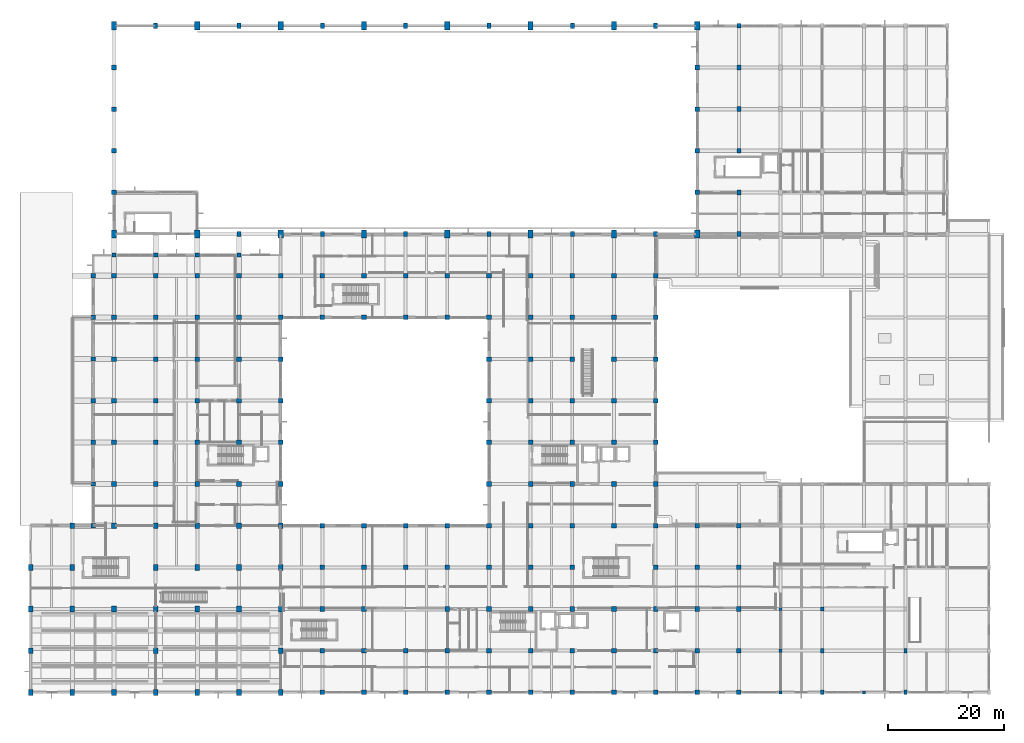
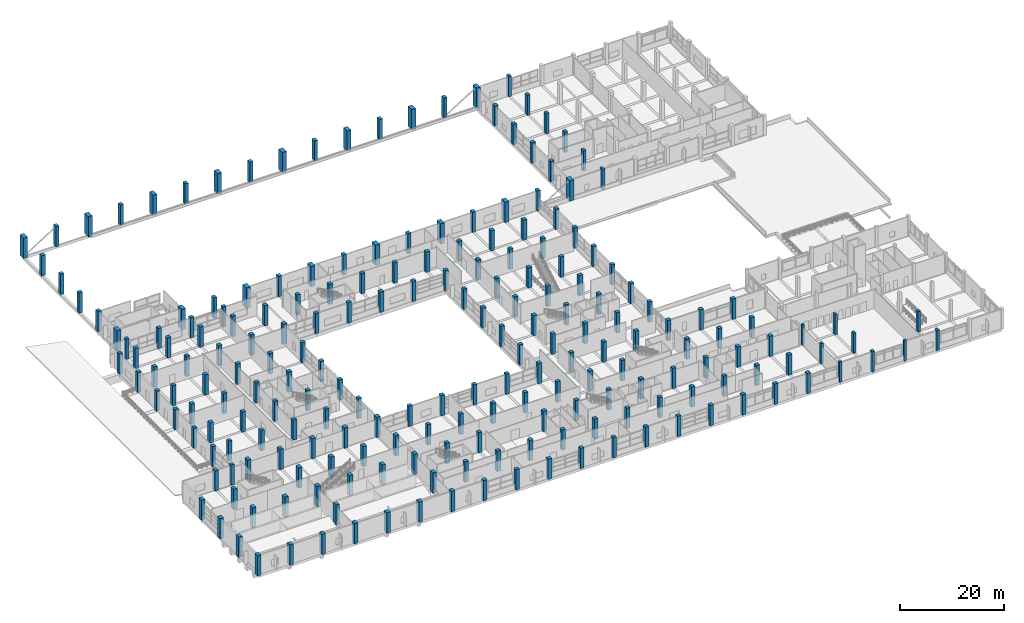
# One storey, part 1 of 140: 213 columns.
"""IFC4 building model written with IfcOpenShell, lengths in metres."""

from ifc_helpers import new_model, si_unit, direction, frame, origin, origin_2d, place, context, subcontext, project, spatial, rectangle, extrude, material, material_profile, profile_set, type_object, element, save


model = new_model("IFC4")

# Units and contexts
model_context = context("Model", 3, precision=1e-05, world=origin(), true_north=direction((0.0, 1.0)))
body_context = subcontext(model_context, "Body", "Model", "MODEL_VIEW")
ifc_project = project(units=[si_unit("LENGTHUNIT", "METRE"), si_unit("AREAUNIT", "SQUARE_METRE"), si_unit("VOLUMEUNIT", "CUBIC_METRE"), si_unit("PLANEANGLEUNIT", "RADIAN"), si_unit("MASSUNIT", "GRAM", prefix="KILO")], contexts=[model_context])

# Site, building, storey
site_placement = place(None, origin())
site = spatial("IfcSite", under=ifc_project, at=site_placement, CompositionType="ELEMENT")
building_placement = place(site_placement, origin())
building = spatial("IfcBuilding", under=site, at=building_placement, Name="Seraya Terrace Polytechnic", CompositionType="ELEMENT")
storey_placement = place(building_placement, frame((0.0, 0.0, 9.60009765625)))
storey = spatial("IfcBuildingStorey", under=building, at=storey_placement, Name="L02", CompositionType="ELEMENT", Elevation=9.60009765625)

# Columns
ifc_material = material(Name="Concrete C40/50", Category="concrete")
ifc_material_profile_1 = material_profile(ifc_material, rectangle(XDim=0.800048828125, YDim=0.800048828125, at=origin_2d()), Name="RC 800x800")
ifc_profile_set_1 = profile_set([ifc_material_profile_1], Name="Concrete C40/50")
column_type_1 = type_object("IfcColumnType", Name="C-05", PredefinedType="COLUMN", material=ifc_profile_set_1)
for number, where, z_axis, x_axis, name in (
    (1, (14.39990234375, 36.0, 0.0), (0.0, 0.0, 1.0), (1.0, 0.0, 0.0), "Column C-05 L02 (14.4, 36.0)"),
    (2, (14.39990234375, 43.199951171875, 0.0), (0.0, 0.0, 1.0), (1.0, 0.0, 0.0), "Column C-05 L02 (14.4, 43.2)"),
    (3, (14.39990234375, 50.39990234375, 0.0), (0.0, 0.0, 1.0), (1.0, 0.0, 0.0), "Column C-05 L02 (14.4, 50.4)"),
    (4, (14.39990234375, 57.60009765625, 0.0), (0.0, 0.0, 1.0), (1.0, 0.0, 0.0), "Column C-05 L02 (14.4, 57.6)"),
    (5, (14.39990234375, 64.800048828125, 0.0), (0.0, 0.0, 1.0), (1.0, 0.0, 0.0), "Column C-05 L02 (14.4, 64.8)"),
    (6, (14.39990234375, 72.0, 0.0), (0.0, 0.0, 1.0), (1.0, 0.0, 0.0), "Column C-05 L02 (14.4, 72.0)"),
    (7, (14.39990234375, 86.39990234375, 0.0), (0.0, 0.0, 1.0), (1.0, 0.0, 0.0), "Column C-05 L02 (14.4, 86.4)"),
    (8, (14.39990234375, 93.60009765625, 0.0), (0.0, 0.0, 1.0), (1.0, 0.0, 0.0), "Column C-05 L02 (14.4, 93.6)"),
    (9, (14.39990234375, 100.800048828125, 0.0), (0.0, 0.0, 1.0), (1.0, 0.0, 0.0), "Column C-05 L02 (14.4, 100.8)"),
    (10, (14.39990234375, 108.0, 0.0), (0.0, 0.0, 1.0), (1.0, 0.0, 0.0), "Column C-05 L02 (14.4, 108.0)"),
    (11, (21.60009765625, 36.0, 0.0), (0.0, 0.0, 1.0), (1.0, 0.0, 0.0), "Column C-05 L02 (21.6, 36.0)"),
    (12, (21.60009765625, 43.199951171875, 0.0), (0.0, 0.0, 1.0), (1.0, 0.0, 0.0), "Column C-05 L02 (21.6, 43.2)"),
    (13, (21.60009765625, 50.39990234375, 0.0), (0.0, 0.0, 1.0), (1.0, 0.0, 0.0), "Column C-05 L02 (21.6, 50.4)"),
    (14, (21.60009765625, 57.60009765625, 0.0), (0.0, 0.0, 1.0), (1.0, 0.0, 0.0), "Column C-05 L02 (21.6, 57.6)"),
    (15, (21.60009765625, 64.800048828125, 0.0), (0.0, 0.0, 1.0), (1.0, 0.0, 0.0), "Column C-05 L02 (21.6, 64.8)"),
    (16, (21.60009765625, 72.0, 0.0), (0.0, 0.0, 1.0), (1.0, 0.0, 0.0), "Column C-05 L02 (21.6, 72.0)"),
    (17, (28.800048828125, 36.0, 0.0), (0.0, 0.0, 1.0), (1.0, 0.0, 0.0), "Column C-05 L02 (28.8, 36.0)"),
    (18, (28.800048828125, 43.199951171875, 0.0), (0.0, 0.0, 1.0), (1.0, 0.0, 0.0), "Column C-05 L02 (28.8, 43.2)"),
    (19, (28.800048828125, 50.39990234375, 0.0), (0.0, 0.0, 1.0), (1.0, 0.0, 0.0), "Column C-05 L02 (28.8, 50.4)"),
    (20, (28.800048828125, 57.60009765625, 0.0), (0.0, 0.0, 1.0), (1.0, 0.0, 0.0), "Column C-05 L02 (28.8, 57.6)"),
    (21, (28.800048828125, 64.800048828125, 0.0), (0.0, 0.0, 1.0), (1.0, 0.0, 0.0), "Column C-05 L02 (28.8, 64.8)"),
    (22, (28.800048828125, 72.0, 0.0), (0.0, 0.0, 1.0), (1.0, 0.0, 0.0), "Column C-05 L02 (28.8, 72.0)"),
    (23, (36.0, 36.0, 0.0), (0.0, 0.0, 1.0), (1.0, 0.0, 0.0), "Column C-05 L02 (36.0, 36.0)"),
    (24, (36.0, 43.199951171875, 0.0), (0.0, 0.0, 1.0), (1.0, 0.0, 0.0), "Column C-05 L02 (36.0, 43.2)"),
    (25, (36.0, 50.39990234375, 0.0), (0.0, 0.0, 1.0), (1.0, 0.0, 0.0), "Column C-05 L02 (36.0, 50.4)"),
    (26, (36.0, 57.60009765625, 0.0), (0.0, 0.0, 1.0), (1.0, 0.0, 0.0), "Column C-05 L02 (36.0, 57.6)"),
    (27, (36.0, 64.800048828125, 0.0), (0.0, 0.0, 1.0), (1.0, 0.0, 0.0), "Column C-05 L02 (36.0, 64.8)"),
    (28, (36.0, 72.0, 0.0), (0.0, 0.0, 1.0), (1.0, 0.0, 0.0), "Column C-05 L02 (36.0, 72.0)"),
    (29, (43.199951171875, 36.0, 0.0), (0.0, 0.0, 1.0), (1.0, 0.0, 0.0), "Column C-05 L02 (43.2, 36.0)"),
    (30, (43.199951171875, 43.199951171875, 0.0), (0.0, 0.0, 1.0), (1.0, 0.0, 0.0), "Column C-05 L02 (43.2, 43.2)"),
    (31, (43.199951171875, 50.39990234375, 0.0), (0.0, 0.0, 1.0), (1.0, 0.0, 0.0), "Column C-05 L02 (43.2, 50.4)"),
    (32, (43.199951171875, 57.60009765625, 0.0), (0.0, 0.0, 1.0), (1.0, 0.0, 0.0), "Column C-05 L02 (43.2, 57.6)"),
    (33, (43.199951171875, 64.800048828125, 0.0), (0.0, 0.0, 1.0), (1.0, 0.0, 0.0), "Column C-05 L02 (43.2, 64.8)"),
    (34, (43.199951171875, 72.0, 0.0), (0.0, 0.0, 1.0), (1.0, 0.0, 0.0), "Column C-05 L02 (43.2, 72.0)"),
    (35, (50.39990234375, 0.0, 0.0), (0.0, 0.0, 1.0), (1.0, 0.0, 0.0), "Column C-05 L02 (50.4, 0.0)"),
    (36, (50.39990234375, 7.199951171875, 0.0), (0.0, 0.0, 1.0), (1.0, 0.0, 0.0), "Column C-05 L02 (50.4, 7.2)"),
    (37, (50.39990234375, 14.39990234375, 0.0), (0.0, 0.0, 1.0), (1.0, 0.0, 0.0), "Column C-05 L02 (50.4, 14.4)"),
    (38, (50.39990234375, 21.60009765625, 0.0), (0.0, 0.0, 1.0), (1.0, 0.0, 0.0), "Column C-05 L02 (50.4, 21.6)"),
    (39, (50.39990234375, 28.800048828125, 0.0), (0.0, 0.0, 1.0), (1.0, 0.0, 0.0), "Column C-05 L02 (50.4, 28.8)"),
    (40, (50.39990234375, 64.800048828125, 0.0), (0.0, 0.0, 1.0), (1.0, 0.0, 0.0), "Column C-05 L02 (50.4, 64.8)"),
    (41, (50.39990234375, 72.0, 0.0), (0.0, 0.0, 1.0), (1.0, 0.0, 0.0), "Column C-05 L02 (50.4, 72.0)"),
    (42, (57.60009765625, 0.0, 0.0), (0.0, 0.0, 1.0), (1.0, 0.0, 0.0), "Column C-05 L02 (57.6, 0.0)"),
    (43, (57.60009765625, 7.199951171875, 0.0), (0.0, 0.0, 1.0), (1.0, 0.0, 0.0), "Column C-05 L02 (57.6, 7.2)"),
    (44, (57.60009765625, 14.39990234375, 0.0), (0.0, 0.0, 1.0), (1.0, 0.0, 0.0), "Column C-05 L02 (57.6, 14.4)"),
    (45, (57.60009765625, 21.60009765625, 0.0), (0.0, 0.0, 1.0), (1.0, 0.0, 0.0), "Column C-05 L02 (57.6, 21.6)"),
    (46, (57.60009765625, 28.800048828125, 0.0), (0.0, 0.0, 1.0), (1.0, 0.0, 0.0), "Column C-05 L02 (57.6, 28.8)"),
    (47, (57.60009765625, 64.800048828125, 0.0), (0.0, 0.0, 1.0), (1.0, 0.0, 0.0), "Column C-05 L02 (57.6, 64.8)"),
    (48, (57.60009765625, 72.0, 0.0), (0.0, 0.0, 1.0), (1.0, 0.0, 0.0), "Column C-05 L02 (57.6, 72.0)"),
    (49, (64.800048828125, 0.0, 0.0), (0.0, 0.0, 1.0), (1.0, 0.0, 0.0), "Column C-05 L02 (64.8, 0.0)"),
    (50, (64.800048828125, 7.199951171875, 0.0), (0.0, 0.0, 1.0), (1.0, 0.0, 0.0), "Column C-05 L02 (64.8, 7.2)"),
    (51, (64.800048828125, 21.60009765625, 0.0), (0.0, 0.0, 1.0), (1.0, 0.0, 0.0), "Column C-05 L02 (64.8, 21.6)"),
    (52, (64.800048828125, 28.800048828125, 0.0), (0.0, 0.0, 1.0), (1.0, 0.0, 0.0), "Column C-05 L02 (64.8, 28.8)"),
    (53, (64.800048828125, 64.800048828125, 0.0), (0.0, 0.0, 1.0), (1.0, 0.0, 0.0), "Column C-05 L02 (64.8, 64.8)"),
    (54, (64.800048828125, 72.0, 0.0), (0.0, 0.0, 1.0), (1.0, 0.0, 0.0), "Column C-05 L02 (64.8, 72.0)"),
    (55, (72.0, 0.0, 0.0), (0.0, 0.0, 1.0), (1.0, 0.0, 0.0), "Column C-05 L02 (72.0, 0.0)"),
    (56, (72.0, 7.199951171875, 0.0), (0.0, 0.0, 1.0), (1.0, 0.0, 0.0), "Column C-05 L02 (72.0, 7.2)"),
    (57, (72.0, 14.39990234375, 0.0), (0.0, 0.0, 1.0), (1.0, 0.0, 0.0), "Column C-05 L02 (72.0, 14.4)"),
    (58, (72.0, 21.60009765625, 0.0), (0.0, 0.0, 1.0), (1.0, 0.0, 0.0), "Column C-05 L02 (72.0, 21.6)"),
    (59, (72.0, 28.800048828125, 0.0), (0.0, 0.0, 1.0), (1.0, 0.0, 0.0), "Column C-05 L02 (72.0, 28.8)"),
    (60, (72.0, 64.800048828125, 0.0), (0.0, 0.0, 1.0), (1.0, 0.0, 0.0), "Column C-05 L02 (72.0, 64.8)"),
    (61, (72.0, 72.0, 0.0), (0.0, 0.0, 1.0), (1.0, 0.0, 0.0), "Column C-05 L02 (72.0, 72.0)"),
    (62, (79.199951171875, 0.0, 0.0), (0.0, 0.0, 1.0), (1.0, 0.0, 0.0), "Column C-05 L02 (79.2, 0.0)"),
    (63, (79.199951171875, 7.199951171875, 0.0), (0.0, 0.0, 1.0), (1.0, 0.0, 0.0), "Column C-05 L02 (79.2, 7.2)"),
    (64, (79.199951171875, 14.39990234375, 0.0), (0.0, 0.0, 1.0), (1.0, 0.0, 0.0), "Column C-05 L02 (79.2, 14.4)"),
    (65, (79.199951171875, 21.60009765625, 0.0), (0.0, 0.0, 1.0), (1.0, 0.0, 0.0), "Column C-05 L02 (79.2, 21.6)"),
    (66, (79.199951171875, 28.800048828125, 0.0), (0.0, 0.0, 1.0), (1.0, 0.0, 0.0), "Column C-05 L02 (79.2, 28.8)"),
    (67, (79.199951171875, 36.0, 0.0), (0.0, 0.0, 1.0), (1.0, 0.0, 0.0), "Column C-05 L02 (79.2, 36.0)"),
    (68, (79.199951171875, 43.199951171875, 0.0), (0.0, 0.0, 1.0), (1.0, 0.0, 0.0), "Column C-05 L02 (79.2, 43.2)"),
    (69, (79.199951171875, 50.39990234375, 0.0), (0.0, 0.0, 1.0), (1.0, 0.0, 0.0), "Column C-05 L02 (79.2, 50.4)"),
    (70, (79.199951171875, 57.60009765625, 0.0), (0.0, 0.0, 1.0), (1.0, 0.0, 0.0), "Column C-05 L02 (79.2, 57.6)"),
    (71, (79.199951171875, 64.800048828125, 0.0), (0.0, 0.0, 1.0), (1.0, 0.0, 0.0), "Column C-05 L02 (79.2, 64.8)"),
    (72, (79.199951171875, 72.0, 0.0), (0.0, 0.0, 1.0), (1.0, 0.0, 0.0), "Column C-05 L02 (79.2, 72.0)"),
    (73, (86.39990234375, 0.0, 0.0), (0.0, 0.0, 1.0), (1.0, 0.0, 0.0), "Column C-05 L02 (86.4, 0.0)"),
    (74, (86.39990234375, 7.199951171875, 0.0), (0.0, 0.0, 1.0), (1.0, 0.0, 0.0), "Column C-05 L02 (86.4, 7.2)"),
    (75, (86.39990234375, 14.39990234375, 0.0), (0.0, 0.0, 1.0), (1.0, 0.0, 0.0), "Column C-05 L02 (86.4, 14.4)"),
    (76, (86.39990234375, 21.60009765625, 0.0), (0.0, 0.0, 1.0), (1.0, 0.0, 0.0), "Column C-05 L02 (86.4, 21.6)"),
    (77, (86.39990234375, 28.800048828125, 0.0), (0.0, 0.0, 1.0), (1.0, 0.0, 0.0), "Column C-05 L02 (86.4, 28.8)"),
    (78, (86.39990234375, 36.0, 0.0), (0.0, 0.0, 1.0), (1.0, 0.0, 0.0), "Column C-05 L02 (86.4, 36.0)"),
    (79, (86.39990234375, 43.199951171875, 0.0), (0.0, 0.0, 1.0), (1.0, 0.0, 0.0), "Column C-05 L02 (86.4, 43.2)"),
    (80, (86.39990234375, 50.39990234375, 0.0), (0.0, 0.0, 1.0), (1.0, 0.0, 0.0), "Column C-05 L02 (86.4, 50.4)"),
    (81, (86.39990234375, 57.60009765625, 0.0), (0.0, 0.0, 1.0), (1.0, 0.0, 0.0), "Column C-05 L02 (86.4, 57.6)"),
    (82, (86.39990234375, 64.800048828125, 0.0), (0.0, 0.0, 1.0), (1.0, 0.0, 0.0), "Column C-05 L02 (86.4, 64.8)"),
    (83, (86.39990234375, 72.0, 0.0), (0.0, 0.0, 1.0), (1.0, 0.0, 0.0), "Column C-05 L02 (86.4, 72.0)"),
    (84, (93.60009765625, 0.0, 0.0), (0.0, 0.0, 1.0), (1.0, 0.0, 0.0), "Column C-05 L02 (93.6, 0.0)"),
    (85, (93.60009765625, 7.199951171875, 0.0), (0.0, 0.0, 1.0), (1.0, 0.0, 0.0), "Column C-05 L02 (93.6, 7.2)"),
    (86, (93.60009765625, 14.39990234375, 0.0), (0.0, 0.0, 1.0), (1.0, 0.0, 0.0), "Column C-05 L02 (93.6, 14.4)"),
    (87, (93.60009765625, 21.60009765625, 0.0), (0.0, 0.0, 1.0), (1.0, 0.0, 0.0), "Column C-05 L02 (93.6, 21.6)"),
    (88, (93.60009765625, 28.800048828125, 0.0), (0.0, 0.0, 1.0), (1.0, 0.0, 0.0), "Column C-05 L02 (93.6, 28.8)"),
    (89, (93.60009765625, 36.0, 0.0), (0.0, 0.0, 1.0), (1.0, 0.0, 0.0), "Column C-05 L02 (93.6, 36.0)"),
    (90, (93.60009765625, 43.199951171875, 0.0), (0.0, 0.0, 1.0), (1.0, 0.0, 0.0), "Column C-05 L02 (93.6, 43.2)"),
    (91, (93.60009765625, 50.39990234375, 0.0), (0.0, 0.0, 1.0), (1.0, 0.0, 0.0), "Column C-05 L02 (93.6, 50.4)"),
    (92, (93.60009765625, 57.60009765625, 0.0), (0.0, 0.0, 1.0), (1.0, 0.0, 0.0), "Column C-05 L02 (93.6, 57.6)"),
    (93, (93.60009765625, 64.800048828125, 0.0), (0.0, 0.0, 1.0), (1.0, 0.0, 0.0), "Column C-05 L02 (93.6, 64.8)"),
    (94, (93.60009765625, 72.0, 0.0), (0.0, 0.0, 1.0), (1.0, 0.0, 0.0), "Column C-05 L02 (93.6, 72.0)"),
    (95, (100.800048828125, 0.0, 0.0), (0.0, 0.0, 1.0), (1.0, 0.0, 0.0), "Column C-05 L02 (100.8, 0.0)"),
    (96, (100.800048828125, 7.199951171875, 0.0), (0.0, 0.0, 1.0), (1.0, 0.0, 0.0), "Column C-05 L02 (100.8, 7.2)"),
    (97, (100.800048828125, 14.39990234375, 0.0), (0.0, 0.0, 1.0), (1.0, 0.0, 0.0), "Column C-05 L02 (100.8, 14.4)"),
    (98, (100.800048828125, 28.800048828125, 0.0), (0.0, 0.0, 1.0), (1.0, 0.0, 0.0), "Column C-05 L02 (100.8, 28.8)"),
    (99, (100.800048828125, 36.0, 0.0), (0.0, 0.0, 1.0), (1.0, 0.0, 0.0), "Column C-05 L02 (100.8, 36.0)"),
    (100, (100.800048828125, 43.199951171875, 0.0), (0.0, 0.0, 1.0), (1.0, 0.0, 0.0), "Column C-05 L02 (100.8, 43.2)"),
    (101, (100.800048828125, 50.39990234375, 0.0), (0.0, 0.0, 1.0), (1.0, 0.0, 0.0), "Column C-05 L02 (100.8, 50.4)"),
    (102, (100.800048828125, 57.60009765625, 0.0), (0.0, 0.0, 1.0), (1.0, 0.0, 0.0), "Column C-05 L02 (100.8, 57.6)"),
    (103, (100.800048828125, 64.800048828125, 0.0), (0.0, 0.0, 1.0), (1.0, 0.0, 0.0), "Column C-05 L02 (100.8, 64.8)"),
    (104, (100.800048828125, 72.0, 0.0), (0.0, 0.0, 1.0), (1.0, 0.0, 0.0), "Column C-05 L02 (100.8, 72.0)"),
    (105, (108.0, 0.0, 0.0), (0.0, 0.0, 1.0), (1.0, 0.0, 0.0), "Column C-05 L02 (108.0, 0.0)"),
    (106, (108.0, 7.199951171875, 0.0), (0.0, 0.0, 1.0), (1.0, 0.0, 0.0), "Column C-05 L02 (108.0, 7.2)"),
    (107, (108.0, 14.39990234375, 0.0), (0.0, 0.0, 1.0), (1.0, 0.0, 0.0), "Column C-05 L02 (108.0, 14.4)"),
    (108, (108.0, 21.60009765625, 0.0), (0.0, 0.0, 1.0), (1.0, 0.0, 0.0), "Column C-05 L02 (108.0, 21.6)"),
    (109, (108.0, 28.800048828125, 0.0), (0.0, 0.0, 1.0), (1.0, 0.0, 0.0), "Column C-05 L02 (108.0, 28.8)"),
    (110, (108.0, 36.0, 0.0), (0.0, 0.0, 1.0), (1.0, 0.0, 0.0), "Column C-05 L02 (108.0, 36.0)"),
    (111, (108.0, 43.199951171875, 0.0), (0.0, 0.0, 1.0), (1.0, 0.0, 0.0), "Column C-05 L02 (108.0, 43.2)"),
    (112, (108.0, 50.39990234375, 0.0), (0.0, 0.0, 1.0), (1.0, 0.0, 0.0), "Column C-05 L02 (108.0, 50.4)"),
    (113, (108.0, 57.60009765625, 0.0), (0.0, 0.0, 1.0), (1.0, 0.0, 0.0), "Column C-05 L02 (108.0, 57.6)"),
    (114, (108.0, 64.800048828125, 0.0), (0.0, 0.0, 1.0), (1.0, 0.0, 0.0), "Column C-05 L02 (108.0, 64.8)"),
    (115, (108.0, 72.0, 0.0), (0.0, 0.0, 1.0), (1.0, 0.0, 0.0), "Column C-05 L02 (108.0, 72.0)"),
    (116, (115.199951171875, 0.0, 0.0), (0.0, 0.0, 1.0), (1.0, 0.0, 0.0), "Column C-05 L02 (115.2, 0.0)"),
    (117, (115.199951171875, 7.199951171875, 0.0), (0.0, 0.0, 1.0), (1.0, 0.0, 0.0), "Column C-05 L02 (115.2, 7.2)"),
    (118, (115.199951171875, 14.39990234375, 0.0), (0.0, 0.0, 1.0), (1.0, 0.0, 0.0), "Column C-05 L02 (115.2, 14.4)"),
    (119, (115.199951171875, 21.60009765625, 0.0), (0.0, 0.0, 1.0), (1.0, 0.0, 0.0), "Column C-05 L02 (115.2, 21.6)"),
    (120, (115.199951171875, 28.800048828125, 0.0), (0.0, 0.0, 1.0), (1.0, 0.0, 0.0), "Column C-05 L02 (115.2, 28.8)"),
    (121, (115.199951171875, 86.39990234375, 0.0), (0.0, 0.0, 1.0), (1.0, 0.0, 0.0), "Column C-05 L02 (115.2, 86.4)"),
    (122, (115.199951171875, 93.60009765625, 0.0), (0.0, 0.0, 1.0), (1.0, 0.0, 0.0), "Column C-05 L02 (115.2, 93.6)"),
    (123, (115.199951171875, 100.800048828125, 0.0), (0.0, 0.0, 1.0), (1.0, 0.0, 0.0), "Column C-05 L02 (115.2, 100.8)"),
    (124, (115.199951171875, 108.0, 0.0), (0.0, 0.0, 1.0), (1.0, 0.0, 0.0), "Column C-05 L02 (115.2, 108.0)"),
    (125, (122.39990234375, 0.0, 0.0), (0.0, 0.0, 1.0), (1.0, 0.0, 0.0), "Column C-05 L02 (122.4, 0.0)"),
    (126, (122.39990234375, 7.199951171875, 0.0), (0.0, 0.0, 1.0), (1.0, 0.0, 0.0), "Column C-05 L02 (122.4, 7.2)"),
    (127, (122.39990234375, 14.39990234375, 0.0), (0.0, 0.0, 1.0), (1.0, 0.0, 0.0), "Column C-05 L02 (122.4, 14.4)"),
    (128, (122.39990234375, 21.60009765625, 0.0), (0.0, 0.0, 1.0), (1.0, 0.0, 0.0), "Column C-05 L02 (122.4, 21.6)"),
    (129, (122.39990234375, 28.800048828125, 0.0), (0.0, 0.0, 1.0), (1.0, 0.0, 0.0), "Column C-05 L02 (122.4, 28.8)"),
):
    element("IfcColumn", number, at=place(storey_placement, frame(where, z_axis=z_axis, x_axis=x_axis)), inside=storey, type_object=column_type_1, Name=name, PredefinedType="COLUMN", context=body_context, shape_type="SweptSolid", body=[
        extrude(rectangle(XDim=0.800048828125, YDim=0.800048828125, at=origin_2d()), origin(), (0.0, 0.0, 1.0), 4.7998046875),
    ])
ifc_material_profile_2 = material_profile(ifc_material, rectangle(XDim=0.75, YDim=0.75, at=origin_2d()), Name="RC 750x750")
ifc_profile_set_2 = profile_set([ifc_material_profile_2], Name="Concrete C40/50")
column_type_2 = type_object("IfcColumnType", Name="C-06", PredefinedType="COLUMN", material=ifc_profile_set_2)
for number, where, z_axis, x_axis, name in (
    (130, (10.800048828125, 28.800048828125, 0.0), (0.0, 0.0, 1.0), (1.0, 0.0, 0.0), "Column C-06 L02 (10.8, 28.8)"),
    (131, (10.800048828125, 36.0, 0.0), (0.0, 0.0, 1.0), (1.0, 0.0, 0.0), "Column C-06 L02 (10.8, 36.0)"),
    (132, (10.800048828125, 43.199951171875, 0.0), (0.0, 0.0, 1.0), (1.0, 0.0, 0.0), "Column C-06 L02 (10.8, 43.2)"),
    (133, (10.800048828125, 50.39990234375, 0.0), (0.0, 0.0, 1.0), (1.0, 0.0, 0.0), "Column C-06 L02 (10.8, 50.4)"),
    (134, (10.800048828125, 57.60009765625, 0.0), (0.0, 0.0, 1.0), (1.0, 0.0, 0.0), "Column C-06 L02 (10.8, 57.6)"),
    (135, (10.800048828125, 64.800048828125, 0.0), (0.0, 0.0, 1.0), (1.0, 0.0, 0.0), "Column C-06 L02 (10.8, 64.8)"),
    (136, (10.800048828125, 72.0, 0.0), (0.0, 0.0, 1.0), (1.0, 0.0, 0.0), "Column C-06 L02 (10.8, 72.0)"),
    (137, (14.39990234375, 75.60009765625, 0.0), (0.0, 0.0, 1.0), (1.0, 0.0, 0.0), "Column C-06 L02 (14.4, 75.6)"),
    (138, (21.60009765625, 75.60009765625, 0.0), (0.0, 0.0, 1.0), (1.0, 0.0, 0.0), "Column C-06 L02 (21.6, 75.6)"),
    (139, (28.800048828125, 75.60009765625, 0.0), (0.0, 0.0, 1.0), (1.0, 0.0, 0.0), "Column C-06 L02 (28.8, 75.6)"),
    (140, (36.0, 75.60009765625, 0.0), (0.0, 0.0, 1.0), (1.0, 0.0, 0.0), "Column C-06 L02 (36.0, 75.6)"),
):
    element("IfcColumn", number, at=place(storey_placement, frame(where, z_axis=z_axis, x_axis=x_axis)), inside=storey, type_object=column_type_2, Name=name, PredefinedType="COLUMN", context=body_context, shape_type="SweptSolid", body=[
        extrude(rectangle(XDim=0.75, YDim=0.75, at=origin_2d()), origin(), (0.0, 0.0, 1.0), 4.7998046875),
    ])
ifc_material_profile_3 = material_profile(ifc_material, rectangle(XDim=0.550048828125, YDim=0.550048828125, at=origin_2d()), Name="RC 550x550")
ifc_profile_set_3 = profile_set([ifc_material_profile_3], Name="Concrete C40/50")
column_type_3 = type_object("IfcColumnType", Name="C-10", PredefinedType="COLUMN", material=ifc_profile_set_3)
for number, where, z_axis, x_axis, name in (
    (141, (129.60009765625, 0.0, 0.0), (0.0, 0.0, 1.0), (1.0, 0.0, 0.0), "Column C-10 L02 (129.6, 0.0)"),
    (142, (129.60009765625, 7.199951171875, 0.0), (0.0, 0.0, 1.0), (1.0, 0.0, 0.0), "Column C-10 L02 (129.6, 7.2)"),
    (143, (129.60009765625, 14.39990234375, 0.0), (0.0, 0.0, 1.0), (1.0, 0.0, 0.0), "Column C-10 L02 (129.6, 14.4)"),
    (144, (144.0, 0.0, 0.0), (0.0, 0.0, 1.0), (1.0, 0.0, 0.0), "Column C-10 L02 (144.0, 0.0)"),
):
    element("IfcColumn", number, at=place(storey_placement, frame(where, z_axis=z_axis, x_axis=x_axis)), inside=storey, type_object=column_type_3, Name=name, PredefinedType="COLUMN", context=body_context, shape_type="SweptSolid", body=[
        extrude(rectangle(XDim=0.550048828125, YDim=0.550048828125, at=origin_2d()), origin(), (0.0, 0.0, 1.0), 4.7998046875),
    ])
ifc_material_profile_4 = material_profile(ifc_material, rectangle(XDim=0.89990234375, YDim=1.39990234375, at=origin_2d()), Name="RC 900x1400")
ifc_profile_set_4 = profile_set([ifc_material_profile_4], Name="Concrete C40/50")
column_type_4 = type_object("IfcColumnType", Name="C-13", PredefinedType="COLUMN", material=ifc_profile_set_4)
for number, where, z_axis, x_axis, name in (
    (145, (14.39990234375, 79.199951171875, 0.0), (0.0, 0.0, 1.0), (1.0, 0.0, 0.0), "Column C-13 L02 (14.4, 79.2)"),
    (146, (14.39990234375, 115.199951171875, 0.0), (0.0, 0.0, 1.0), (1.0, 0.0, 0.0), "Column C-13 L02 (14.4, 115.2)"),
    (147, (28.800048828125, 79.199951171875, 0.0), (0.0, 0.0, 1.0), (1.0, 0.0, 0.0), "Column C-13 L02 (28.8, 79.2)"),
    (148, (28.800048828125, 115.199951171875, 0.0), (0.0, 0.0, 1.0), (1.0, 0.0, 0.0), "Column C-13 L02 (28.8, 115.2)"),
    (149, (43.199951171875, 79.199951171875, 0.0), (0.0, 0.0, 1.0), (1.0, 0.0, 0.0), "Column C-13 L02 (43.2, 79.2)"),
    (150, (43.199951171875, 115.199951171875, 0.0), (0.0, 0.0, 1.0), (1.0, 0.0, 0.0), "Column C-13 L02 (43.2, 115.2)"),
    (151, (57.60009765625, 79.199951171875, 0.0), (0.0, 0.0, 1.0), (1.0, 0.0, 0.0), "Column C-13 L02 (57.6, 79.2)"),
    (152, (57.60009765625, 115.199951171875, 0.0), (0.0, 0.0, 1.0), (1.0, 0.0, 0.0), "Column C-13 L02 (57.6, 115.2)"),
    (153, (72.0, 79.199951171875, 0.0), (0.0, 0.0, 1.0), (1.0, 0.0, 0.0), "Column C-13 L02 (72.0, 79.2)"),
    (154, (72.0, 115.199951171875, 0.0), (0.0, 0.0, 1.0), (1.0, 0.0, 0.0), "Column C-13 L02 (72.0, 115.2)"),
    (155, (86.39990234375, 79.199951171875, 0.0), (0.0, 0.0, 1.0), (1.0, 0.0, 0.0), "Column C-13 L02 (86.4, 79.2)"),
    (156, (86.39990234375, 115.199951171875, 0.0), (0.0, 0.0, 1.0), (1.0, 0.0, 0.0), "Column C-13 L02 (86.4, 115.2)"),
    (157, (100.800048828125, 79.199951171875, 0.0), (0.0, 0.0, 1.0), (1.0, 0.0, 0.0), "Column C-13 L02 (100.8, 79.2)"),
    (158, (100.800048828125, 115.199951171875, 0.0), (0.0, 0.0, 1.0), (1.0, 0.0, 0.0), "Column C-13 L02 (100.8, 115.2)"),
    (159, (115.199951171875, 79.199951171875, 0.0), (0.0, 0.0, 1.0), (1.0, 0.0, 0.0), "Column C-13 L02 (115.2, 79.2)"),
    (160, (115.199951171875, 115.199951171875, 0.0), (0.0, 0.0, 1.0), (1.0, 0.0, 0.0), "Column C-13 L02 (115.2, 115.2)"),
):
    element("IfcColumn", number, at=place(storey_placement, frame(where, z_axis=z_axis, x_axis=x_axis)), inside=storey, type_object=column_type_4, Name=name, PredefinedType="COLUMN", context=body_context, shape_type="SweptSolid", body=[
        extrude(rectangle(XDim=0.89990234375, YDim=1.39990234375, at=origin_2d()), origin(), (0.0, 0.0, 1.0), 4.7998046875),
    ])
ifc_material_profile_5 = material_profile(ifc_material, rectangle(XDim=0.800048828125, YDim=1.0, at=origin_2d()), Name="RC 800x1000")
ifc_profile_set_5 = profile_set([ifc_material_profile_5], Name="Concrete C40/50")
column_type_5 = type_object("IfcColumnType", Name="C-14", PredefinedType="COLUMN", material=ifc_profile_set_5)
for number, where, z_axis, x_axis, name in (
    (161, (0.0, 0.0, 0.0), (0.0, 0.0, 1.0), (1.0, 0.0, 0.0), "Column C-14 L02 (0.0, 0.0)"),
    (162, (0.0, 7.199951171875, 0.0), (0.0, 0.0, 1.0), (1.0, 0.0, 0.0), "Column C-14 L02 (0.0, 7.2)"),
    (163, (0.0, 14.39990234375, 0.0), (0.0, 0.0, 1.0), (1.0, 0.0, 0.0), "Column C-14 L02 (0.0, 14.4)"),
    (164, (0.0, 21.60009765625, 0.0), (0.0, 0.0, 1.0), (1.0, 0.0, 0.0), "Column C-14 L02 (0.0, 21.6)"),
    (165, (7.199951171875, 0.0, 0.0), (0.0, 0.0, 1.0), (1.0, 0.0, 0.0), "Column C-14 L02 (7.2, 0.0)"),
    (166, (7.199951171875, 14.39990234375, 0.0), (0.0, 0.0, 1.0), (1.0, 0.0, 0.0), "Column C-14 L02 (7.2, 14.4)"),
    (167, (7.199951171875, 21.60009765625, 0.0), (0.0, 0.0, 1.0), (1.0, 0.0, 0.0), "Column C-14 L02 (7.2, 21.6)"),
    (168, (7.199951171875, 28.800048828125, 0.0), (0.0, 0.0, 1.0), (1.0, 0.0, 0.0), "Column C-14 L02 (7.2, 28.8)"),
    (169, (14.39990234375, 0.0, 0.0), (0.0, 0.0, 1.0), (1.0, 0.0, 0.0), "Column C-14 L02 (14.4, 0.0)"),
    (170, (14.39990234375, 14.39990234375, 0.0), (0.0, 0.0, 1.0), (1.0, 0.0, 0.0), "Column C-14 L02 (14.4, 14.4)"),
    (171, (14.39990234375, 28.800048828125, 0.0), (0.0, 0.0, 1.0), (1.0, 0.0, 0.0), "Column C-14 L02 (14.4, 28.8)"),
    (172, (21.60009765625, 0.0, 0.0), (0.0, 0.0, 1.0), (1.0, 0.0, 0.0), "Column C-14 L02 (21.6, 0.0)"),
    (173, (21.60009765625, 7.199951171875, 0.0), (0.0, 0.0, 1.0), (1.0, 0.0, 0.0), "Column C-14 L02 (21.6, 7.2)"),
    (174, (21.60009765625, 14.39990234375, 0.0), (0.0, 0.0, 1.0), (1.0, 0.0, 0.0), "Column C-14 L02 (21.6, 14.4)"),
    (175, (21.60009765625, 21.60009765625, 0.0), (0.0, 0.0, 1.0), (1.0, 0.0, 0.0), "Column C-14 L02 (21.6, 21.6)"),
    (176, (21.60009765625, 28.800048828125, 0.0), (0.0, 0.0, 1.0), (1.0, 0.0, 0.0), "Column C-14 L02 (21.6, 28.8)"),
    (177, (28.800048828125, 0.0, 0.0), (0.0, 0.0, 1.0), (1.0, 0.0, 0.0), "Column C-14 L02 (28.8, 0.0)"),
    (178, (28.800048828125, 14.39990234375, 0.0), (0.0, 0.0, 1.0), (1.0, 0.0, 0.0), "Column C-14 L02 (28.8, 14.4)"),
    (179, (28.800048828125, 21.60009765625, 0.0), (0.0, 0.0, 1.0), (1.0, 0.0, 0.0), "Column C-14 L02 (28.8, 21.6)"),
    (180, (28.800048828125, 28.800048828125, 0.0), (0.0, 0.0, 1.0), (1.0, 0.0, 0.0), "Column C-14 L02 (28.8, 28.8)"),
    (181, (36.0, 0.0, 0.0), (0.0, 0.0, 1.0), (1.0, 0.0, 0.0), "Column C-14 L02 (36.0, 0.0)"),
    (182, (36.0, 14.39990234375, 0.0), (0.0, 0.0, 1.0), (1.0, 0.0, 0.0), "Column C-14 L02 (36.0, 14.4)"),
    (183, (36.0, 21.60009765625, 0.0), (0.0, 0.0, 1.0), (1.0, 0.0, 0.0), "Column C-14 L02 (36.0, 21.6)"),
    (184, (36.0, 28.800048828125, 0.0), (0.0, 0.0, 1.0), (1.0, 0.0, 0.0), "Column C-14 L02 (36.0, 28.8)"),
    (185, (43.199951171875, 0.0, 0.0), (0.0, 0.0, 1.0), (1.0, 0.0, 0.0), "Column C-14 L02 (43.2, 0.0)"),
    (186, (43.199951171875, 7.199951171875, 0.0), (0.0, 0.0, 1.0), (1.0, 0.0, 0.0), "Column C-14 L02 (43.2, 7.2)"),
    (187, (43.199951171875, 14.39990234375, 0.0), (0.0, 0.0, 1.0), (1.0, 0.0, 0.0), "Column C-14 L02 (43.2, 14.4)"),
    (188, (43.199951171875, 21.60009765625, 0.0), (0.0, 0.0, 1.0), (1.0, 0.0, 0.0), "Column C-14 L02 (43.2, 21.6)"),
    (189, (43.199951171875, 28.800048828125, 0.0), (0.0, 0.0, 1.0), (1.0, 0.0, 0.0), "Column C-14 L02 (43.2, 28.8)"),
):
    element("IfcColumn", number, at=place(storey_placement, frame(where, z_axis=z_axis, x_axis=x_axis)), inside=storey, type_object=column_type_5, Name=name, PredefinedType="COLUMN", context=body_context, shape_type="SweptSolid", body=[
        extrude(rectangle(XDim=0.800048828125, YDim=1.0, at=origin_2d()), origin(), (0.0, 0.0, 1.0), 4.7998046875),
    ])
ifc_material_profile_6 = material_profile(ifc_material, rectangle(XDim=0.699951171875, YDim=0.89990234375, at=origin_2d()), Name="RC 700x900")
ifc_profile_set_6 = profile_set([ifc_material_profile_6], Name="Concrete C40/50")
column_type_6 = type_object("IfcColumnType", Name="C-15", PredefinedType="COLUMN", material=ifc_profile_set_6)
for number, where, z_axis, x_axis, name in (
    (190, (21.60009765625, 115.199951171875, 0.0), (0.0, 0.0, 1.0), (1.0, 0.0, 0.0), "Column C-15 L02 (21.6, 115.2)"),
    (191, (36.0, 79.199951171875, 0.0), (0.0, 0.0, 1.0), (1.0, 0.0, 0.0), "Column C-15 L02 (36.0, 79.2)"),
    (192, (36.0, 115.199951171875, 0.0), (0.0, 0.0, 1.0), (1.0, 0.0, 0.0), "Column C-15 L02 (36.0, 115.2)"),
    (193, (50.39990234375, 79.199951171875, 0.0), (0.0, 0.0, 1.0), (1.0, 0.0, 0.0), "Column C-15 L02 (50.4, 79.2)"),
    (194, (50.39990234375, 115.199951171875, 0.0), (0.0, 0.0, 1.0), (1.0, 0.0, 0.0), "Column C-15 L02 (50.4, 115.2)"),
    (195, (64.800048828125, 79.199951171875, 0.0), (0.0, 0.0, 1.0), (1.0, 0.0, 0.0), "Column C-15 L02 (64.8, 79.2)"),
    (196, (64.800048828125, 115.199951171875, 0.0), (0.0, 0.0, 1.0), (1.0, 0.0, 0.0), "Column C-15 L02 (64.8, 115.2)"),
    (197, (79.199951171875, 79.199951171875, 0.0), (0.0, 0.0, 1.0), (1.0, 0.0, 0.0), "Column C-15 L02 (79.2, 79.2)"),
    (198, (79.199951171875, 115.199951171875, 0.0), (0.0, 0.0, 1.0), (1.0, 0.0, 0.0), "Column C-15 L02 (79.2, 115.2)"),
    (199, (93.60009765625, 79.199951171875, 0.0), (0.0, 0.0, 1.0), (1.0, 0.0, 0.0), "Column C-15 L02 (93.6, 79.2)"),
    (200, (93.60009765625, 115.199951171875, 0.0), (0.0, 0.0, 1.0), (1.0, 0.0, 0.0), "Column C-15 L02 (93.6, 115.2)"),
    (201, (108.0, 79.199951171875, 0.0), (0.0, 0.0, 1.0), (1.0, 0.0, 0.0), "Column C-15 L02 (108.0, 79.2)"),
    (202, (108.0, 115.199951171875, 0.0), (0.0, 0.0, 1.0), (1.0, 0.0, 0.0), "Column C-15 L02 (108.0, 115.2)"),
):
    element("IfcColumn", number, at=place(storey_placement, frame(where, z_axis=z_axis, x_axis=x_axis)), inside=storey, type_object=column_type_6, Name=name, PredefinedType="COLUMN", context=body_context, shape_type="SweptSolid", body=[
        extrude(rectangle(XDim=0.699951171875, YDim=0.89990234375, at=origin_2d()), origin(), (0.0, 0.0, 1.0), 4.7998046875),
    ])
ifc_material_profile_7 = material_profile(ifc_material, rectangle(XDim=0.64990234375, YDim=0.85009765625, at=origin_2d()), Name="RC 650x850")
ifc_profile_set_7 = profile_set([ifc_material_profile_7], Name="Concrete C40/50")
column_type_7 = type_object("IfcColumnType", Name="C-16", PredefinedType="COLUMN", material=ifc_profile_set_7)
for number, where, z_axis, x_axis, name in (
    (203, (122.39990234375, 79.199951171875, 0.0), (0.0, 0.0, 1.0), (1.0, 0.0, 0.0), "Column C-16 L02 (122.4, 79.2)"),
    (204, (122.39990234375, 86.39990234375, 0.0), (0.0, 0.0, 1.0), (1.0, 0.0, 0.0), "Column C-16 L02 (122.4, 86.4)"),
    (205, (122.39990234375, 93.60009765625, 0.0), (0.0, 0.0, 1.0), (1.0, 0.0, 0.0), "Column C-16 L02 (122.4, 93.6)"),
    (206, (122.39990234375, 100.800048828125, 0.0), (0.0, 0.0, 1.0), (1.0, 0.0, 0.0), "Column C-16 L02 (122.4, 100.8)"),
    (207, (122.39990234375, 108.0, 0.0), (0.0, 0.0, 1.0), (1.0, 0.0, 0.0), "Column C-16 L02 (122.4, 108.0)"),
    (208, (122.39990234375, 115.199951171875, 0.0), (0.0, 0.0, 1.0), (1.0, 0.0, 0.0), "Column C-16 L02 (122.4, 115.2)"),
):
    element("IfcColumn", number, at=place(storey_placement, frame(where, z_axis=z_axis, x_axis=x_axis)), inside=storey, type_object=column_type_7, Name=name, PredefinedType="COLUMN", context=body_context, shape_type="SweptSolid", body=[
        extrude(rectangle(XDim=0.64990234375, YDim=0.85009765625, at=origin_2d()), origin(), (0.0, 0.0, 1.0), 4.7998046875),
    ])
ifc_material_profile_8 = material_profile(ifc_material, rectangle(XDim=0.550048828125, YDim=0.75, at=origin_2d()), Name="RC 550x750")
ifc_profile_set_8 = profile_set([ifc_material_profile_8], Name="Concrete C40/50")
column_type_8 = type_object("IfcColumnType", Name="C-17", PredefinedType="COLUMN", material=ifc_profile_set_8)
for number, where, z_axis, x_axis, name in (
    (209, (136.800048828125, 0.0, 0.0), (0.0, 0.0, 1.0), (1.0, 0.0, 0.0), "Column C-17 L02 (136.8, 0.0)"),
    (210, (136.800048828125, 7.199951171875, 0.0), (0.0, 0.0, 1.0), (1.0, 0.0, 0.0), "Column C-17 L02 (136.8, 7.2)"),
    (211, (136.800048828125, 14.39990234375, 0.0), (0.0, 0.0, 1.0), (1.0, 0.0, 0.0), "Column C-17 L02 (136.8, 14.4)"),
    (212, (151.199951171875, 0.0, 0.0), (0.0, 0.0, 1.0), (1.0, 0.0, 0.0), "Column C-17 L02 (151.2, 0.0)"),
    (213, (151.199951171875, 7.199951171875, 0.0), (0.0, 0.0, 1.0), (1.0, 0.0, 0.0), "Column C-17 L02 (151.2, 7.2)"),
):
    element("IfcColumn", number, at=place(storey_placement, frame(where, z_axis=z_axis, x_axis=x_axis)), inside=storey, type_object=column_type_8, Name=name, PredefinedType="COLUMN", context=body_context, shape_type="SweptSolid", body=[
        extrude(rectangle(XDim=0.550048828125, YDim=0.75, at=origin_2d()), origin(), (0.0, 0.0, 1.0), 4.7998046875),
    ])

save(model, "model.ifc")
